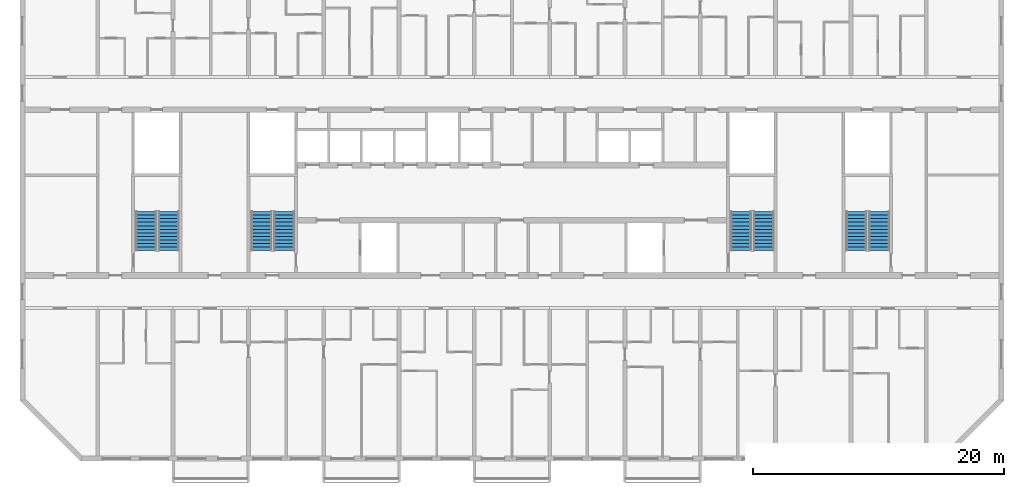
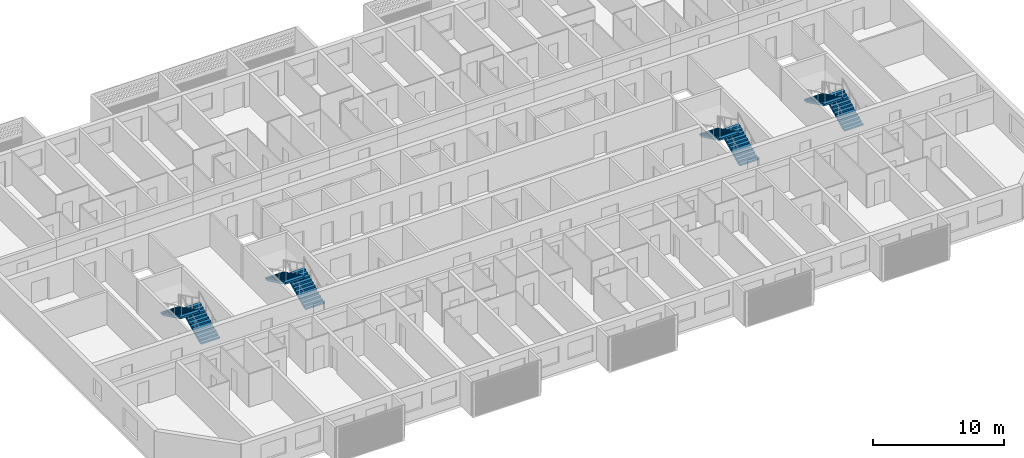
# One storey, part 14 of 33: 8 stair flights, 4 elements without a shape of their own.
"""IFC4 building model written with IfcOpenShell, lengths in metres."""

from ifc_helpers import new_model, si_unit, direction, frame, origin, place, context, subcontext, project, spatial, polyline, outline, extrude, material, layer, layer_set, type_object, element, aggregate, save


model = new_model("IFC4")

# Units and contexts
model_context = context("Model", 3, precision=1e-05, world=origin(), true_north=direction((0.0, 1.0)))
body_context = subcontext(model_context, "Body", "Model", "MODEL_VIEW")
ifc_project = project(units=[si_unit("LENGTHUNIT", "METRE"), si_unit("AREAUNIT", "SQUARE_METRE"), si_unit("VOLUMEUNIT", "CUBIC_METRE"), si_unit("PLANEANGLEUNIT", "RADIAN"), si_unit("MASSUNIT", "GRAM", prefix="KILO")], contexts=[model_context])

# Site, building, storey
site_placement = place(None, origin())
site = spatial("IfcSite", under=ifc_project, at=site_placement, CompositionType="ELEMENT")
building_placement = place(site_placement, origin())
building = spatial("IfcBuilding", under=site, at=building_placement, Name="Poui Terraces", CompositionType="ELEMENT")
storey_placement = place(building_placement, frame((0.0, 0.0, 132.300048828125)))
storey = spatial("IfcBuildingStorey", under=building, at=storey_placement, Name="L36", CompositionType="ELEMENT", Elevation=132.300048828125)

# Stair, stair flights
ifc_material = material(Name="Concrete 65 MPa", Category="concrete")
stair_type = type_object("IfcStairType", Name="EXIT STAIR 1650 65 MPA", PredefinedType="HALF_TURN_STAIR", material=ifc_material)
stair_1_placement = place(storey_placement, origin())
stair_1 = element("IfcStair", 1, at=stair_1_placement, inside=storey, type_object=stair_type, Name="L36 CORE STAIR EAST", PredefinedType="HALF_TURN_STAIR")
ifc_layer = layer(ifc_material, 0.14990234375)
ifc_layer_set = layer_set([ifc_layer], Name="Concrete 65 MPa")
stair_flight_type = type_object("IfcStairFlightType", Name="STAIR FLIGHT 12 RISERS 138 RISE 65 MPA", PredefinedType="STRAIGHT", material=ifc_layer_set)
stair_flight_1_placement = place(storey_placement, frame((71.050048828125, 16.60009765625, 0.0), z_axis=(0.0, 0.0, 1.0), x_axis=(0.0, 1.0, 0.0)))
stair_flight_1 = element("IfcStairFlight", 2, at=stair_flight_1_placement, type_object=stair_flight_type, Name="ST-CE flight 1", NumberOfRisers=12, NumberOfTreads=11, PredefinedType="STRAIGHT", RiserHeight=0.1375, TreadLength=0.28, context=body_context, shape_type="SweptSolid", body=[
    extrude(outline(polyline([(0.0, 0.0), (0.0, 0.137451171875), (0.280029296875, 0.137451171875), (0.280029296875, 0.27490234375), (0.56005859375, 0.27490234375), (0.56005859375, 0.41259765625), (0.840087890625, 0.41259765625), (0.840087890625, 0.550048828125), (1.1201171875, 0.550048828125), (1.1201171875, 0.6875), (1.39990234375, 0.6875), (1.39990234375, 0.824951171875), (1.679931640625, 0.824951171875), (1.679931640625, 0.96240234375), (1.9599609375, 0.96240234375), (1.9599609375, 1.10009765625), (2.239990234375, 1.10009765625), (2.239990234375, 1.237548828125), (2.52001953125, 1.237548828125), (2.52001953125, 1.375), (2.800048828125, 1.375), (2.800048828125, 1.512451171875), (3.080078125, 1.512451171875), (3.080078125, 1.64990234375), (3.080078125, 1.345458984375), (0.340087890625, 0.0), (0.0, 0.0)])), frame((0.0, 0.824951171875, 0.0), z_axis=(0.0, -1.0, 0.0), x_axis=(1.0, 0.0, 0.0)), (0.0, 0.0, 1.0), 1.64990234375),
])
stair_flight_2_placement = place(storey_placement, frame((69.25, 19.679931640625, 1.64990234375), z_axis=(0.0, 0.0, 1.0), x_axis=(0.0, -1.0, 0.0)))
stair_flight_2 = element("IfcStairFlight", 3, at=stair_flight_2_placement, type_object=stair_flight_type, Name="ST-CE flight 2", NumberOfRisers=12, NumberOfTreads=11, PredefinedType="STRAIGHT", RiserHeight=0.1375, TreadLength=0.28, context=body_context, shape_type="SweptSolid", body=[
    extrude(outline(polyline([(0.0, 0.0), (0.0, 0.137451171875), (0.280029296875, 0.137451171875), (0.280029296875, 0.27490234375), (0.56005859375, 0.27490234375), (0.56005859375, 0.41259765625), (0.840087890625, 0.41259765625), (0.840087890625, 0.550048828125), (1.1201171875, 0.550048828125), (1.1201171875, 0.6875), (1.39990234375, 0.6875), (1.39990234375, 0.824951171875), (1.679931640625, 0.824951171875), (1.679931640625, 0.96240234375), (1.9599609375, 0.96240234375), (1.9599609375, 1.10009765625), (2.239990234375, 1.10009765625), (2.239990234375, 1.237548828125), (2.52001953125, 1.237548828125), (2.52001953125, 1.375), (2.800048828125, 1.375), (2.800048828125, 1.512451171875), (3.080078125, 1.512451171875), (3.080078125, 1.64990234375), (3.080078125, 1.345458984375), (0.340087890625, 0.0), (0.0, 0.0)])), frame((0.0, 0.824951171875, 0.0), z_axis=(0.0, -1.0, 0.0), x_axis=(1.0, 0.0, 0.0)), (0.0, 0.0, 1.0), 1.64990234375),
])
aggregate(stair_1, [stair_flight_1, stair_flight_2])

stair_2_placement = place(storey_placement, origin())
stair_2 = element("IfcStair", 4, at=stair_2_placement, inside=storey, type_object=stair_type, Name="L36 CORE STAIR WEST", PredefinedType="HALF_TURN_STAIR")
stair_flight_3_placement = place(storey_placement, frame((32.85009765625, 16.60009765625, 0.0), z_axis=(0.0, 0.0, 1.0), x_axis=(0.0, 1.0, 0.0)))
stair_flight_3 = element("IfcStairFlight", 5, at=stair_flight_3_placement, type_object=stair_flight_type, Name="ST-CW flight 1", NumberOfRisers=12, NumberOfTreads=11, PredefinedType="STRAIGHT", RiserHeight=0.1375, TreadLength=0.28, context=body_context, shape_type="SweptSolid", body=[
    extrude(outline(polyline([(0.0, 0.0), (0.0, 0.137451171875), (0.280029296875, 0.137451171875), (0.280029296875, 0.27490234375), (0.56005859375, 0.27490234375), (0.56005859375, 0.41259765625), (0.840087890625, 0.41259765625), (0.840087890625, 0.550048828125), (1.1201171875, 0.550048828125), (1.1201171875, 0.6875), (1.39990234375, 0.6875), (1.39990234375, 0.824951171875), (1.679931640625, 0.824951171875), (1.679931640625, 0.96240234375), (1.9599609375, 0.96240234375), (1.9599609375, 1.10009765625), (2.239990234375, 1.10009765625), (2.239990234375, 1.237548828125), (2.52001953125, 1.237548828125), (2.52001953125, 1.375), (2.800048828125, 1.375), (2.800048828125, 1.512451171875), (3.080078125, 1.512451171875), (3.080078125, 1.64990234375), (3.080078125, 1.345458984375), (0.340087890625, 0.0), (0.0, 0.0)])), frame((0.0, 0.824951171875, 0.0), z_axis=(0.0, -1.0, 0.0), x_axis=(1.0, 0.0, 0.0)), (0.0, 0.0, 1.0), 1.64990234375),
])
stair_flight_4_placement = place(storey_placement, frame((31.050048828125, 19.679931640625, 1.64990234375), z_axis=(0.0, 0.0, 1.0), x_axis=(0.0, -1.0, 0.0)))
stair_flight_4 = element("IfcStairFlight", 6, at=stair_flight_4_placement, type_object=stair_flight_type, Name="ST-CW flight 2", NumberOfRisers=12, NumberOfTreads=11, PredefinedType="STRAIGHT", RiserHeight=0.1375, TreadLength=0.28, context=body_context, shape_type="SweptSolid", body=[
    extrude(outline(polyline([(0.0, 0.0), (0.0, 0.137451171875), (0.280029296875, 0.137451171875), (0.280029296875, 0.27490234375), (0.56005859375, 0.27490234375), (0.56005859375, 0.41259765625), (0.840087890625, 0.41259765625), (0.840087890625, 0.550048828125), (1.1201171875, 0.550048828125), (1.1201171875, 0.6875), (1.39990234375, 0.6875), (1.39990234375, 0.824951171875), (1.679931640625, 0.824951171875), (1.679931640625, 0.96240234375), (1.9599609375, 0.96240234375), (1.9599609375, 1.10009765625), (2.239990234375, 1.10009765625), (2.239990234375, 1.237548828125), (2.52001953125, 1.237548828125), (2.52001953125, 1.375), (2.800048828125, 1.375), (2.800048828125, 1.512451171875), (3.080078125, 1.512451171875), (3.080078125, 1.64990234375), (3.080078125, 1.345458984375), (0.340087890625, 0.0), (0.0, 0.0)])), frame((0.0, 0.824951171875, 0.0), z_axis=(0.0, -1.0, 0.0), x_axis=(1.0, 0.0, 0.0)), (0.0, 0.0, 1.0), 1.64990234375),
])
aggregate(stair_2, [stair_flight_3, stair_flight_4])

stair_3_placement = place(storey_placement, origin())
stair_3 = element("IfcStair", 7, at=stair_3_placement, inside=storey, type_object=stair_type, Name="L36 TIP STAIR EAST", PredefinedType="HALF_TURN_STAIR")
stair_flight_5_placement = place(storey_placement, frame((80.25, 16.60009765625, 0.0), z_axis=(0.0, 0.0, 1.0), x_axis=(0.0, 1.0, 0.0)))
stair_flight_5 = element("IfcStairFlight", 8, at=stair_flight_5_placement, type_object=stair_flight_type, Name="ST-E flight 1", NumberOfRisers=12, NumberOfTreads=11, PredefinedType="STRAIGHT", RiserHeight=0.1375, TreadLength=0.28, context=body_context, shape_type="SweptSolid", body=[
    extrude(outline(polyline([(0.0, 0.0), (0.0, 0.137451171875), (0.280029296875, 0.137451171875), (0.280029296875, 0.27490234375), (0.56005859375, 0.27490234375), (0.56005859375, 0.41259765625), (0.840087890625, 0.41259765625), (0.840087890625, 0.550048828125), (1.1201171875, 0.550048828125), (1.1201171875, 0.6875), (1.39990234375, 0.6875), (1.39990234375, 0.824951171875), (1.679931640625, 0.824951171875), (1.679931640625, 0.96240234375), (1.9599609375, 0.96240234375), (1.9599609375, 1.10009765625), (2.239990234375, 1.10009765625), (2.239990234375, 1.237548828125), (2.52001953125, 1.237548828125), (2.52001953125, 1.375), (2.800048828125, 1.375), (2.800048828125, 1.512451171875), (3.080078125, 1.512451171875), (3.080078125, 1.64990234375), (3.080078125, 1.345458984375), (0.340087890625, 0.0), (0.0, 0.0)])), frame((0.0, 0.824951171875, 0.0), z_axis=(0.0, -1.0, 0.0), x_axis=(1.0, 0.0, 0.0)), (0.0, 0.0, 1.0), 1.64990234375),
])
stair_flight_6_placement = place(storey_placement, frame((78.449951171875, 19.679931640625, 1.64990234375), z_axis=(0.0, 0.0, 1.0), x_axis=(0.0, -1.0, 0.0)))
stair_flight_6 = element("IfcStairFlight", 9, at=stair_flight_6_placement, type_object=stair_flight_type, Name="ST-E flight 2", NumberOfRisers=12, NumberOfTreads=11, PredefinedType="STRAIGHT", RiserHeight=0.1375, TreadLength=0.28, context=body_context, shape_type="SweptSolid", body=[
    extrude(outline(polyline([(0.0, 0.0), (0.0, 0.137451171875), (0.280029296875, 0.137451171875), (0.280029296875, 0.27490234375), (0.56005859375, 0.27490234375), (0.56005859375, 0.41259765625), (0.840087890625, 0.41259765625), (0.840087890625, 0.550048828125), (1.1201171875, 0.550048828125), (1.1201171875, 0.6875), (1.39990234375, 0.6875), (1.39990234375, 0.824951171875), (1.679931640625, 0.824951171875), (1.679931640625, 0.96240234375), (1.9599609375, 0.96240234375), (1.9599609375, 1.10009765625), (2.239990234375, 1.10009765625), (2.239990234375, 1.237548828125), (2.52001953125, 1.237548828125), (2.52001953125, 1.375), (2.800048828125, 1.375), (2.800048828125, 1.512451171875), (3.080078125, 1.512451171875), (3.080078125, 1.64990234375), (3.080078125, 1.345458984375), (0.340087890625, 0.0), (0.0, 0.0)])), frame((0.0, 0.824951171875, 0.0), z_axis=(0.0, -1.0, 0.0), x_axis=(1.0, 0.0, 0.0)), (0.0, 0.0, 1.0), 1.64990234375),
])
aggregate(stair_3, [stair_flight_5, stair_flight_6])

stair_4_placement = place(storey_placement, origin())
stair_4 = element("IfcStair", 10, at=stair_4_placement, inside=storey, type_object=stair_type, Name="L36 TIP STAIR WEST", PredefinedType="HALF_TURN_STAIR")
stair_flight_7_placement = place(storey_placement, frame((23.64990234375, 16.60009765625, 0.0), z_axis=(0.0, 0.0, 1.0), x_axis=(0.0, 1.0, 0.0)))
stair_flight_7 = element("IfcStairFlight", 11, at=stair_flight_7_placement, type_object=stair_flight_type, Name="ST-W flight 1", NumberOfRisers=12, NumberOfTreads=11, PredefinedType="STRAIGHT", RiserHeight=0.1375, TreadLength=0.28, context=body_context, shape_type="SweptSolid", body=[
    extrude(outline(polyline([(0.0, 0.0), (0.0, 0.137451171875), (0.280029296875, 0.137451171875), (0.280029296875, 0.27490234375), (0.56005859375, 0.27490234375), (0.56005859375, 0.41259765625), (0.840087890625, 0.41259765625), (0.840087890625, 0.550048828125), (1.1201171875, 0.550048828125), (1.1201171875, 0.6875), (1.39990234375, 0.6875), (1.39990234375, 0.824951171875), (1.679931640625, 0.824951171875), (1.679931640625, 0.96240234375), (1.9599609375, 0.96240234375), (1.9599609375, 1.10009765625), (2.239990234375, 1.10009765625), (2.239990234375, 1.237548828125), (2.52001953125, 1.237548828125), (2.52001953125, 1.375), (2.800048828125, 1.375), (2.800048828125, 1.512451171875), (3.080078125, 1.512451171875), (3.080078125, 1.64990234375), (3.080078125, 1.345458984375), (0.340087890625, 0.0), (0.0, 0.0)])), frame((0.0, 0.824951171875, 0.0), z_axis=(0.0, -1.0, 0.0), x_axis=(1.0, 0.0, 0.0)), (0.0, 0.0, 1.0), 1.64990234375),
])
stair_flight_8_placement = place(storey_placement, frame((21.85009765625, 19.679931640625, 1.64990234375), z_axis=(0.0, 0.0, 1.0), x_axis=(0.0, -1.0, 0.0)))
stair_flight_8 = element("IfcStairFlight", 12, at=stair_flight_8_placement, type_object=stair_flight_type, Name="ST-W flight 2", NumberOfRisers=12, NumberOfTreads=11, PredefinedType="STRAIGHT", RiserHeight=0.1375, TreadLength=0.28, context=body_context, shape_type="SweptSolid", body=[
    extrude(outline(polyline([(0.0, 0.0), (0.0, 0.137451171875), (0.280029296875, 0.137451171875), (0.280029296875, 0.27490234375), (0.56005859375, 0.27490234375), (0.56005859375, 0.41259765625), (0.840087890625, 0.41259765625), (0.840087890625, 0.550048828125), (1.1201171875, 0.550048828125), (1.1201171875, 0.6875), (1.39990234375, 0.6875), (1.39990234375, 0.824951171875), (1.679931640625, 0.824951171875), (1.679931640625, 0.96240234375), (1.9599609375, 0.96240234375), (1.9599609375, 1.10009765625), (2.239990234375, 1.10009765625), (2.239990234375, 1.237548828125), (2.52001953125, 1.237548828125), (2.52001953125, 1.375), (2.800048828125, 1.375), (2.800048828125, 1.512451171875), (3.080078125, 1.512451171875), (3.080078125, 1.64990234375), (3.080078125, 1.345458984375), (0.340087890625, 0.0), (0.0, 0.0)])), frame((0.0, 0.824951171875, 0.0), z_axis=(0.0, -1.0, 0.0), x_axis=(1.0, 0.0, 0.0)), (0.0, 0.0, 1.0), 1.64990234375),
])
aggregate(stair_4, [stair_flight_7, stair_flight_8])

save(model, "model.ifc")
